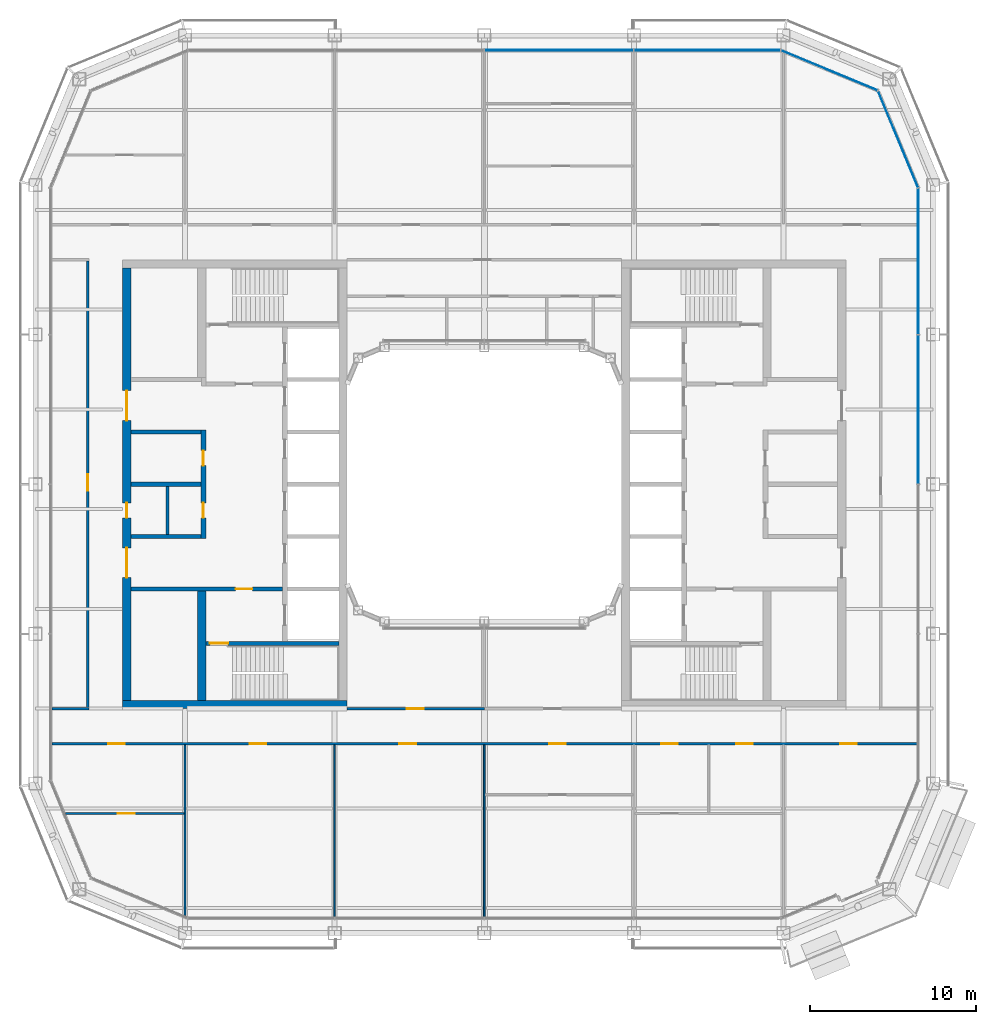
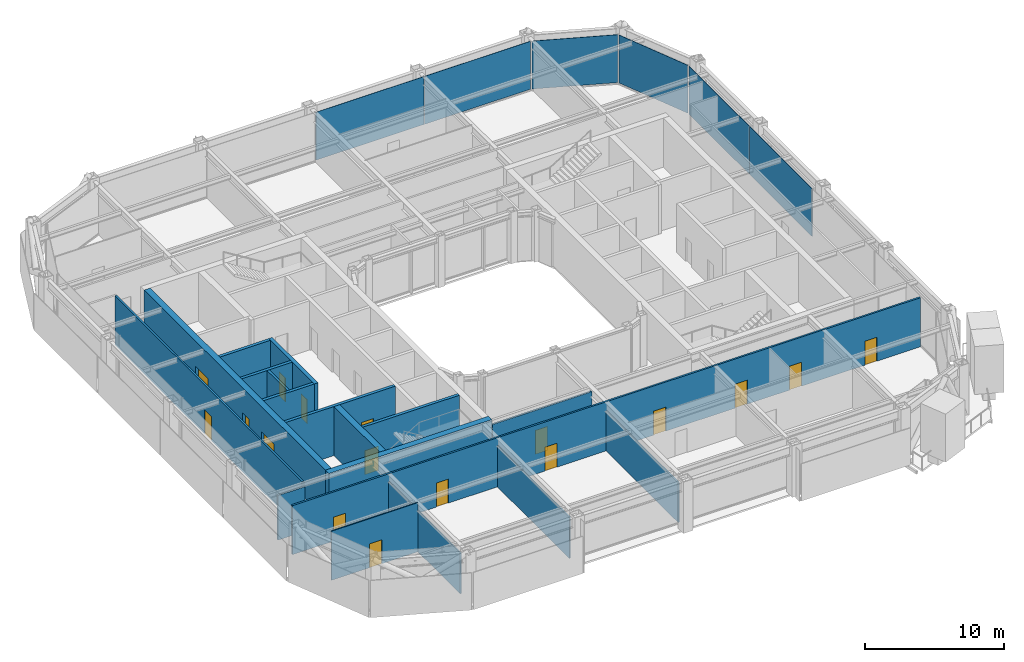
# One storey, part 12 of 23: 18 walls, 17 doors, 6 plates, 17 openings, 4 elements without a shape of their own.
"""IFC4 building model written with IfcOpenShell, lengths in metres."""

from ifc_helpers import new_model, si_unit, direction, frame, frame_2d, origin, origin_2d, place, context, subcontext, project, spatial, rectangle, extrude, material, layer, layer_set, type_object, element, fill, aggregate, save


model = new_model("IFC4")

# Units and contexts
model_context = context("Model", 3, precision=1e-05, world=origin(), true_north=direction((0.0, 1.0)))
body_context = subcontext(model_context, "Body", "Model", "MODEL_VIEW")
ifc_project = project(units=[si_unit("LENGTHUNIT", "METRE"), si_unit("AREAUNIT", "SQUARE_METRE"), si_unit("VOLUMEUNIT", "CUBIC_METRE"), si_unit("PLANEANGLEUNIT", "RADIAN"), si_unit("MASSUNIT", "GRAM", prefix="KILO")], contexts=[model_context])

# Site, building, storey
site_placement = place(None, origin())
site = spatial("IfcSite", under=ifc_project, at=site_placement, CompositionType="ELEMENT")
building_placement = place(site_placement, origin())
building = spatial("IfcBuilding", under=site, at=building_placement, Name="Siwar Civic Tower", CompositionType="ELEMENT")
storey_placement = place(building_placement, frame((0.0, 0.0, 273.699951171875)))
storey = spatial("IfcBuildingStorey", under=building, at=storey_placement, Name="L59", CompositionType="ELEMENT", Elevation=273.699951171875)

# Curtain wall, plates
ifc_material_1 = material(Name="Aluminium and glass", Category="aluminium")
ifc_layer_1 = layer(ifc_material_1, 0.179931640625)
ifc_layer_set_1 = layer_set([ifc_layer_1], Name="Aluminium and glass")
curtain_wall_type_1 = type_object("IfcCurtainWallType", Name="ENV-CW-C", PredefinedType="NOTDEFINED", material=ifc_layer_set_1)
curtain_wall_1_placement = place(storey_placement, origin())
curtain_wall_1 = element("IfcCurtainWall", 1, at=curtain_wall_1_placement, inside=storey, type_object=curtain_wall_type_1, Name="Curtain wall C E", PredefinedType="NOTDEFINED")
ifc_material_2 = material(Name="Glass clear laminated", Category="glass")
ifc_layer_2 = layer(ifc_material_2, 0.031982421875)
ifc_layer_set_2 = layer_set([ifc_layer_2], Name="Glass clear laminated")
plate_type_1 = type_object("IfcPlateType", Name="ENV-PANEL-C", PredefinedType="CURTAIN_PANEL", material=ifc_layer_set_2)
plate_1_placement = place(storey_placement, frame((26.10009765625, 4.5, 0.10009765625), z_axis=(0.0, 0.0, 1.0), x_axis=(0.0, 1.0, 0.0)))
plate_1 = element("IfcPlate", 2, at=plate_1_placement, type_object=plate_type_1, Name="Curtain panel C E 3", PredefinedType="CURTAIN_PANEL", context=body_context, shape_type="SweptSolid", body=[
    extrude(rectangle(XDim=8.93994140625, YDim=0.031982421875, at=origin_2d()), origin(), (0.0, 0.0, 1.0), 4.199951171875),
])
plate_2_placement = place(storey_placement, frame((26.10009765625, 13.373046875, 0.10009765625), z_axis=(0.0, 0.0, 1.0), x_axis=(0.0, 1.0, 0.0)))
plate_2 = element("IfcPlate", 3, at=plate_2_placement, type_object=plate_type_1, Name="Curtain panel C E 4", PredefinedType="CURTAIN_PANEL", context=body_context, shape_type="SweptSolid", body=[
    extrude(rectangle(XDim=8.68603515625, YDim=0.031982421875, at=origin_2d()), origin(), (0.0, 0.0, 1.0), 4.199951171875),
])
aggregate(curtain_wall_1, [plate_1, plate_2])

curtain_wall_2_placement = place(storey_placement, origin())
curtain_wall_2 = element("IfcCurtainWall", 4, at=curtain_wall_2_placement, inside=storey, type_object=curtain_wall_type_1, Name="Curtain wall C N", PredefinedType="NOTDEFINED")
plate_3_placement = place(storey_placement, frame((13.410400390625, 26.10009765625, 0.10009765625), z_axis=(0.0, 0.0, 1.0), x_axis=(-1.0, 0.0, 0.0)))
plate_3 = element("IfcPlate", 5, at=plate_3_placement, type_object=plate_type_1, Name="Curtain panel C N 1", PredefinedType="CURTAIN_PANEL", context=body_context, shape_type="SweptSolid", body=[
    extrude(rectangle(XDim=8.760986328125, YDim=0.031982421875, at=origin_2d()), origin(), (0.0, 0.0, 1.0), 4.199951171875),
])
plate_4_placement = place(storey_placement, frame((4.5, 26.10009765625, 0.10009765625), z_axis=(0.0, 0.0, 1.0), x_axis=(-1.0, 0.0, 0.0)))
plate_4 = element("IfcPlate", 6, at=plate_4_placement, type_object=plate_type_1, Name="Curtain panel C N 2", PredefinedType="CURTAIN_PANEL", context=body_context, shape_type="SweptSolid", body=[
    extrude(rectangle(XDim=8.93994140625, YDim=0.031982421875, at=origin_2d()), origin(), (0.0, 0.0, 1.0), 4.199951171875),
])
aggregate(curtain_wall_2, [plate_3, plate_4])

# Curtain wall, plate
ifc_material_3 = material(Name="Aluminium clad insulated panel", Category="aluminium")
ifc_layer_3 = layer(ifc_material_3, 0.179931640625)
ifc_layer_set_3 = layer_set([ifc_layer_3], Name="Aluminium clad insulated panel")
curtain_wall_type_2 = type_object("IfcCurtainWallType", Name="ENV-CW-CX", PredefinedType="NOTDEFINED", material=ifc_layer_set_3)
curtain_wall_3_placement = place(storey_placement, origin())
curtain_wall_3 = element("IfcCurtainWall", 7, at=curtain_wall_3_placement, inside=storey, type_object=curtain_wall_type_2, Name="Curtain wall C NE1", PredefinedType="NOTDEFINED")
ifc_material_4 = material(Name="Aluminium clad insulated panel", Category="aluminium")
ifc_layer_4 = layer(ifc_material_4, 0.031982421875)
ifc_layer_set_4 = layer_set([ifc_layer_4], Name="Aluminium clad insulated panel")
plate_type_2 = type_object("IfcPlateType", Name="ENV-PANEL-CX", PredefinedType="CURTAIN_PANEL", material=ifc_layer_set_4)
plate_5_placement = place(storey_placement, frame((24.90185546875, 20.71337890625, 0.10009765625), z_axis=(0.0, 0.0, 1.0), x_axis=(-0.382683432365, 0.923879532511, 0.0)))
plate_5 = element("IfcPlate", 8, at=plate_5_placement, type_object=plate_type_2, Name="Curtain panel C NE1 1", PredefinedType="CURTAIN_PANEL", context=body_context, shape_type="SweptSolid", body=[
    extrude(rectangle(XDim=6.20166015625, YDim=0.031982421875, at=origin_2d()), origin(), (0.0, 0.0, 1.0), 4.199951171875),
])
aggregate(curtain_wall_3, [plate_5])

curtain_wall_4_placement = place(storey_placement, origin())
curtain_wall_4 = element("IfcCurtainWall", 9, at=curtain_wall_4_placement, inside=storey, type_object=curtain_wall_type_2, Name="Curtain wall C NE2", PredefinedType="NOTDEFINED")
plate_6_placement = place(storey_placement, frame((20.78271484375, 24.873291015625, 0.10009765625), z_axis=(0.0, 0.0, 1.0), x_axis=(-0.923879532511, 0.382683432365, 0.0)))
plate_6 = element("IfcPlate", 10, at=plate_6_placement, type_object=plate_type_2, Name="Curtain panel C NE2 1", PredefinedType="CURTAIN_PANEL", context=body_context, shape_type="SweptSolid", body=[
    extrude(rectangle(XDim=6.20166015625, YDim=0.031982421875, at=origin_2d()), origin(), (0.0, 0.0, 1.0), 4.199951171875),
])
aggregate(curtain_wall_4, [plate_6])

# Wall, opening, door
ifc_material_5 = material(Name="Gypsum board on steel studs", Category="steel")
ifc_layer_5 = layer(ifc_material_5, 0.14990234375)
ifc_layer_set_5 = layer_set([ifc_layer_5], Name="Gypsum board on steel studs")
wall_type_1 = type_object("IfcWallType", Name="COMPARTMENT PARTITION 150 EI 60", PredefinedType="PARTITIONING", material=ifc_layer_set_5)
wall_1_placement = place(storey_placement, frame((-8.25, -13.5, 0.0), z_axis=(0.0, 0.0, 1.0), x_axis=(1.0, 0.0, 0.0)))
wall_1 = element("IfcWall", 11, at=wall_1_placement, inside=storey, type_object=wall_type_1, Name="L59/wall/P08", PredefinedType="PARTITIONING", context=body_context, shape_type="SweptSolid", body=[
    extrude(rectangle(XDim=8.25, YDim=0.14990234375, at=frame_2d((4.125, 0.0))), origin(), (0.0, 0.0, 1.0), 3.900146484375),
])
opening_1_placement = place(wall_1_placement, frame((3.60009765625, 0.0, 0.0)))
opening_1 = element("IfcOpeningElement", 12, at=opening_1_placement, cuts=wall_1, Name="Opening D1", PredefinedType="OPENING", context=body_context, shape_type="SweptSolid", body=[
    extrude(rectangle(XDim=1.0, YDim=2.10009765625, at=frame_2d((0.5, 1.050048828125))), frame((0.0, 0.0849609375, 0.0), z_axis=(0.0, -1.0, 0.0), x_axis=(1.0, 0.0, 0.0)), (0.0, 0.0, 1.0), 0.169921875),
])
ifc_material_6 = material(Name="Timber, painted", Category="wood")
door_type_1 = type_object("IfcDoorType", Name="DOOR 1000 X 2100 FD30", OperationType="SINGLE_SWING_LEFT", PredefinedType="DOOR", material=ifc_material_6)
door_1_placement = place(opening_1_placement, origin())
door_1 = element("IfcDoor", 13, at=door_1_placement, inside=storey, type_object=door_type_1, Name="L59-D27", OperationType="SINGLE_SWING_LEFT", OverallHeight=2.10009765625, OverallWidth=1.0, PredefinedType="DOOR", context=body_context, shape_type="SweptSolid", body=[
    extrude(rectangle(XDim=1.0, YDim=2.10009765625, at=frame_2d((0.5, 1.050048828125))), frame((0.0, 0.02490234375, 0.0), z_axis=(0.0, -1.0, 0.0), x_axis=(1.0, 0.0, 0.0)), (0.0, 0.0, 1.0), 0.050048828125),
])
fill(opening_1, door_1)

# Wall
ifc_material_7 = material(Name="Gypsum board on steel studs", Category="steel")
ifc_layer_6 = layer(ifc_material_7, 0.199951171875)
ifc_layer_set_6 = layer_set([ifc_layer_6], Name="Gypsum board on steel studs")
wall_type_2 = type_object("IfcWallType", Name="CORE-PARTITION-200", PredefinedType="PARTITIONING", material=ifc_layer_set_6)
wall_2_placement = place(storey_placement, frame((-19.050048828125, -3.02490234375, 0.0), z_axis=(0.0, 0.0, 1.0), x_axis=(0.0, 1.0, 0.0)))
element("IfcWall", 14, at=wall_2_placement, inside=storey, type_object=wall_type_2, Name="Core partition W", PredefinedType="PARTITIONING", context=body_context, shape_type="SweptSolid", body=[
    extrude(rectangle(XDim=2.89990234375, YDim=0.199951171875, at=frame_2d((1.449951171875, 0.0))), origin(), (0.0, 0.0, 1.0), 4.300048828125),
])

# Wall, opening, door
ifc_material_8 = material(Name="Concrete C60/75", Category="concrete")
ifc_layer_7 = layer(ifc_material_8, 0.25)
ifc_layer_set_7 = layer_set([ifc_layer_7], Name="Concrete C60/75")
wall_type_3 = type_object("IfcWallType", Name="CORE-WALL-RC250", PredefinedType="SHEAR", material=ifc_layer_set_7)
wall_3_placement = place(storey_placement, frame((-12.14990234375, -6.300048828125, 0.0), z_axis=(0.0, 0.0, 1.0), x_axis=(-1.0, 0.0, 0.0)))
wall_3 = element("IfcWall", 15, at=wall_3_placement, inside=storey, type_object=wall_type_3, Name="Core wall W", PredefinedType="SHEAR", context=body_context, shape_type="SweptSolid", body=[
    extrude(rectangle(XDim=9.10009765625, YDim=0.25, at=frame_2d((4.550048828125, 0.0))), origin(), (0.0, 0.0, 1.0), 4.300048828125),
])
opening_2_placement = place(wall_3_placement, frame((1.800048828125, 0.0, 0.0)))
opening_2 = element("IfcOpeningElement", 16, at=opening_2_placement, cuts=wall_3, Name="Opening L59-CW02", PredefinedType="OPENING", context=body_context, shape_type="SweptSolid", body=[
    extrude(rectangle(XDim=1.0, YDim=2.10009765625, at=frame_2d((0.5, 1.050048828125))), frame((0.0, 0.135009765625, 0.0), z_axis=(0.0, -1.0, 0.0), x_axis=(1.0, 0.0, 0.0)), (0.0, 0.0, 1.0), 0.27001953125),
])
ifc_material_9 = material(Name="Steel door leaf", Category="steel")
door_type_2 = type_object("IfcDoorType", Name="CORE-DOOR-FD30S", OperationType="SINGLE_SWING_LEFT", PredefinedType="DOOR", material=ifc_material_9)
door_2_placement = place(opening_2_placement, origin())
door_2 = element("IfcDoor", 17, at=door_2_placement, inside=storey, type_object=door_type_2, Name="Service lobby door L59-CW02", OperationType="SINGLE_SWING_RIGHT", OverallHeight=2.10009765625, OverallWidth=1.0, PredefinedType="DOOR", context=body_context, shape_type="SweptSolid", body=[
    extrude(rectangle(XDim=1.0, YDim=2.10009765625, at=frame_2d((0.5, 1.050048828125))), frame((0.0, 0.02490234375, 0.0), z_axis=(0.0, -1.0, 0.0), x_axis=(1.0, 0.0, 0.0)), (0.0, 0.0, 1.0), 0.050048828125),
])
fill(opening_2, door_2)

# Walls
for number, where, z_axis, x_axis, name in (
    (18, (-17.050048828125, 0.0, 0.0), (0.0, 0.0, 1.0), (-1.0, 0.0, 0.0), "Core wall W"),
    (19, (-17.050048828125, 3.14990234375, 0.0), (0.0, 0.0, 1.0), (-1.0, 0.0, 0.0), "Core wall W"),
    (20, (-17.050048828125, -3.14990234375, 0.0), (0.0, 0.0, 1.0), (-1.0, 0.0, 0.0), "Core wall W"),
):
    element("IfcWall", number, at=place(storey_placement, frame(where, z_axis=z_axis, x_axis=x_axis)), inside=storey, type_object=wall_type_3, Name=name, PredefinedType="SHEAR", context=body_context, shape_type="SweptSolid", body=[
        extrude(rectangle(XDim=4.199951171875, YDim=0.25, at=frame_2d((2.10009765625, 0.0))), origin(), (0.0, 0.0, 1.0), 4.300048828125),
    ])

# Wall, opening, door
wall_4_placement = place(storey_placement, frame((-8.75, -9.574951171875, 0.0), z_axis=(0.0, 0.0, 1.0), x_axis=(-1.0, 0.0, 0.0)))
wall_4 = element("IfcWall", 21, at=wall_4_placement, inside=storey, type_object=wall_type_3, Name="Core wall W", PredefinedType="SHEAR", context=body_context, shape_type="SweptSolid", body=[
    extrude(rectangle(XDim=8.0, YDim=0.25, at=frame_2d((4.0, 0.0))), origin(), (0.0, 0.0, 1.0), 4.300048828125),
])
opening_3_placement = place(wall_4_placement, frame((6.64990234375, 0.0, 0.0)))
opening_3 = element("IfcOpeningElement", 22, at=opening_3_placement, cuts=wall_4, Name="Opening L59-CW04", PredefinedType="OPENING", context=body_context, shape_type="SweptSolid", body=[
    extrude(rectangle(XDim=1.10009765625, YDim=2.10009765625, at=frame_2d((0.550048828125, 1.050048828125))), frame((0.0, 0.135009765625, 0.0), z_axis=(0.0, -1.0, 0.0), x_axis=(1.0, 0.0, 0.0)), (0.0, 0.0, 1.0), 0.27001953125),
])
ifc_material_10 = material(Name="Steel door leaf", Category="steel")
door_type_3 = type_object("IfcDoorType", Name="CORE-DOOR-FD60S", OperationType="SINGLE_SWING_LEFT", PredefinedType="DOOR", material=ifc_material_10)
door_3_placement = place(opening_3_placement, origin())
door_3 = element("IfcDoor", 23, at=door_3_placement, inside=storey, type_object=door_type_3, Name="Stair door L59-CW04", OperationType="SINGLE_SWING_LEFT", OverallHeight=2.10009765625, OverallWidth=1.10009765625, PredefinedType="DOOR", context=body_context, shape_type="SweptSolid", body=[
    extrude(rectangle(XDim=1.10009765625, YDim=2.10009765625, at=frame_2d((0.550048828125, 1.050048828125))), frame((0.0, 0.02490234375, 0.0), z_axis=(0.0, -1.0, 0.0), x_axis=(1.0, 0.0, 0.0)), (0.0, 0.0, 1.0), 0.050048828125),
])
fill(opening_3, door_3)

# Wall, openings, doors
ifc_material_11 = material(Name="Concrete C60/75", Category="concrete")
ifc_layer_8 = layer(ifc_material_11, 0.300048828125)
ifc_layer_set_8 = layer_set([ifc_layer_8], Name="Concrete C60/75")
wall_type_4 = type_object("IfcWallType", Name="CORE-WALL-RC300", PredefinedType="SHEAR", material=ifc_layer_set_8)
wall_5_placement = place(storey_placement, frame((-16.89990234375, -3.27490234375, 0.0), z_axis=(0.0, 0.0, 1.0), x_axis=(0.0, 1.0, 0.0)))
wall_5 = element("IfcWall", 24, at=wall_5_placement, inside=storey, type_object=wall_type_4, Name="Core wall W", PredefinedType="SHEAR", context=body_context, shape_type="SweptSolid", body=[
    extrude(rectangle(XDim=6.5498046875, YDim=0.300048828125, at=frame_2d((3.27490234375, 0.0))), origin(), (0.0, 0.0, 1.0), 4.300048828125),
])
opening_4_placement = place(wall_5_placement, frame((1.25, 0.0, 0.0)))
opening_4 = element("IfcOpeningElement", 25, at=opening_4_placement, cuts=wall_5, Name="Opening L59-CW13", PredefinedType="OPENING", context=body_context, shape_type="SweptSolid", body=[
    extrude(rectangle(XDim=0.89990234375, YDim=2.10009765625, at=frame_2d((0.449951171875, 1.050048828125))), frame((0.0, 0.16015625, 0.0), z_axis=(0.0, -1.0, 0.0), x_axis=(1.0, 0.0, 0.0)), (0.0, 0.0, 1.0), 0.320068359375),
])
opening_5_placement = place(wall_5_placement, frame((4.39990234375, 0.0, 0.0)))
opening_5 = element("IfcOpeningElement", 26, at=opening_5_placement, cuts=wall_5, Name="Opening L59-CW15", PredefinedType="OPENING", context=body_context, shape_type="SweptSolid", body=[
    extrude(rectangle(XDim=0.89990234375, YDim=2.10009765625, at=frame_2d((0.449951171875, 1.050048828125))), frame((0.0, 0.16015625, 0.0), z_axis=(0.0, -1.0, 0.0), x_axis=(1.0, 0.0, 0.0)), (0.0, 0.0, 1.0), 0.320068359375),
])
ifc_material_12 = material(Name="Steel door leaf", Category="steel")
door_type_4 = type_object("IfcDoorType", Name="CORE-DOOR-ROOM", OperationType="SINGLE_SWING_LEFT", PredefinedType="DOOR", material=ifc_material_12)
door_4_placement = place(opening_4_placement, origin())
door_4 = element("IfcDoor", 27, at=door_4_placement, inside=storey, type_object=door_type_4, Name="Core room door L59-CW13", OperationType="SINGLE_SWING_LEFT", OverallHeight=2.10009765625, OverallWidth=0.89990234375, PredefinedType="DOOR", context=body_context, shape_type="SweptSolid", body=[
    extrude(rectangle(XDim=0.89990234375, YDim=2.10009765625, at=frame_2d((0.449951171875, 1.050048828125))), frame((0.0, 0.02490234375, 0.0), z_axis=(0.0, -1.0, 0.0), x_axis=(1.0, 0.0, 0.0)), (0.0, 0.0, 1.0), 0.050048828125),
])
fill(opening_4, door_4)
door_5_placement = place(opening_5_placement, origin())
door_5 = element("IfcDoor", 28, at=door_5_placement, inside=storey, type_object=door_type_4, Name="Core room door L59-CW15", OperationType="SINGLE_SWING_RIGHT", OverallHeight=2.10009765625, OverallWidth=0.89990234375, PredefinedType="DOOR", context=body_context, shape_type="SweptSolid", body=[
    extrude(rectangle(XDim=0.89990234375, YDim=2.10009765625, at=frame_2d((0.449951171875, 1.050048828125))), frame((0.0, 0.02490234375, 0.0), z_axis=(0.0, -1.0, 0.0), x_axis=(1.0, 0.0, 0.0)), (0.0, 0.0, 1.0), 0.050048828125),
])
fill(opening_5, door_5)

ifc_material_13 = material(Name="Concrete C60/75", Category="concrete")
ifc_layer_9 = layer(ifc_material_13, 0.5)
ifc_layer_set_9 = layer_set([ifc_layer_9], Name="Concrete C60/75")
wall_type_5 = type_object("IfcWallType", Name="CORE-WALL-RC500", PredefinedType="SHEAR", material=ifc_layer_set_9)
wall_6_placement = place(storey_placement, frame((-21.5, -13.0, 0.0), z_axis=(0.0, 0.0, 1.0), x_axis=(0.0, 1.0, 0.0)))
wall_6 = element("IfcWall", 29, at=wall_6_placement, inside=storey, type_object=wall_type_5, Name="Core wall W", PredefinedType="SHEAR", context=body_context, shape_type="SweptSolid", body=[
    extrude(rectangle(XDim=26.0, YDim=0.5, at=frame_2d((13.0, 0.0))), origin(), (0.0, 0.0, 1.0), 4.300048828125),
])
opening_6_placement = place(wall_6_placement, frame((16.824951171875, 0.0, 0.0)))
opening_6 = element("IfcOpeningElement", 30, at=opening_6_placement, cuts=wall_6, Name="Opening L59-CW05", PredefinedType="OPENING", context=body_context, shape_type="SweptSolid", body=[
    extrude(rectangle(XDim=1.800048828125, YDim=2.10009765625, at=frame_2d((0.89990234375, 1.050048828125))), frame((0.0, 0.260009765625, 0.0), z_axis=(0.0, -1.0, 0.0), x_axis=(1.0, 0.0, 0.0)), (0.0, 0.0, 1.0), 0.52001953125),
])
opening_7_placement = place(wall_6_placement, frame((7.375, 0.0, 0.0)))
opening_7 = element("IfcOpeningElement", 31, at=opening_7_placement, cuts=wall_6, Name="Opening L59-CW06", PredefinedType="OPENING", context=body_context, shape_type="SweptSolid", body=[
    extrude(rectangle(XDim=1.800048828125, YDim=2.10009765625, at=frame_2d((0.89990234375, 1.050048828125))), frame((0.0, 0.260009765625, 0.0), z_axis=(0.0, -1.0, 0.0), x_axis=(1.0, 0.0, 0.0)), (0.0, 0.0, 1.0), 0.52001953125),
])
opening_8_placement = place(wall_6_placement, frame((10.97509765625, 0.0, 0.0)))
opening_8 = element("IfcOpeningElement", 32, at=opening_8_placement, cuts=wall_6, Name="Opening L59-CW14", PredefinedType="OPENING", context=body_context, shape_type="SweptSolid", body=[
    extrude(rectangle(XDim=0.89990234375, YDim=2.10009765625, at=frame_2d((0.449951171875, 1.050048828125))), frame((0.0, 0.260009765625, 0.0), z_axis=(0.0, -1.0, 0.0), x_axis=(1.0, 0.0, 0.0)), (0.0, 0.0, 1.0), 0.52001953125),
])
ifc_material_14 = material(Name="Steel door leaf", Category="steel")
door_type_5 = type_object("IfcDoorType", Name="CORE-DOOR-PORT", OperationType="DOUBLE_DOOR_DOUBLE_SWING", PredefinedType="DOOR", material=ifc_material_14)
door_6_placement = place(opening_6_placement, origin())
door_6 = element("IfcDoor", 33, at=door_6_placement, inside=storey, type_object=door_type_5, Name="Core entrance door L59-CW05", OperationType="DOUBLE_DOOR_DOUBLE_SWING", OverallHeight=2.10009765625, OverallWidth=1.800048828125, PredefinedType="DOOR", context=body_context, shape_type="SweptSolid", body=[
    extrude(rectangle(XDim=1.800048828125, YDim=2.10009765625, at=frame_2d((0.89990234375, 1.050048828125))), frame((0.0, 0.02490234375, 0.0), z_axis=(0.0, -1.0, 0.0), x_axis=(1.0, 0.0, 0.0)), (0.0, 0.0, 1.0), 0.050048828125),
])
fill(opening_6, door_6)
door_7_placement = place(opening_7_placement, origin())
door_7 = element("IfcDoor", 34, at=door_7_placement, inside=storey, type_object=door_type_5, Name="Core entrance door L59-CW06", OperationType="DOUBLE_DOOR_DOUBLE_SWING", OverallHeight=2.10009765625, OverallWidth=1.800048828125, PredefinedType="DOOR", context=body_context, shape_type="SweptSolid", body=[
    extrude(rectangle(XDim=1.800048828125, YDim=2.10009765625, at=frame_2d((0.89990234375, 1.050048828125))), frame((0.0, 0.02490234375, 0.0), z_axis=(0.0, -1.0, 0.0), x_axis=(1.0, 0.0, 0.0)), (0.0, 0.0, 1.0), 0.050048828125),
])
fill(opening_7, door_7)
door_8_placement = place(opening_8_placement, origin())
door_8 = element("IfcDoor", 35, at=door_8_placement, inside=storey, type_object=door_type_4, Name="Core room door L59-CW14", OperationType="SINGLE_SWING_RIGHT", OverallHeight=2.10009765625, OverallWidth=0.89990234375, PredefinedType="DOOR", context=body_context, shape_type="SweptSolid", body=[
    extrude(rectangle(XDim=0.89990234375, YDim=2.10009765625, at=frame_2d((0.449951171875, 1.050048828125))), frame((0.0, 0.02490234375, 0.0), z_axis=(0.0, -1.0, 0.0), x_axis=(1.0, 0.0, 0.0)), (0.0, 0.0, 1.0), 0.050048828125),
])
fill(opening_8, door_8)

# Walls
wall_7_placement = place(storey_placement, frame((-17.0, -13.0, 0.0), z_axis=(0.0, 0.0, 1.0), x_axis=(0.0, 1.0, 0.0)))
element("IfcWall", 36, at=wall_7_placement, inside=storey, type_object=wall_type_5, Name="Core wall W", PredefinedType="SHEAR", context=body_context, shape_type="SweptSolid", body=[
    extrude(rectangle(XDim=6.574951171875, YDim=0.5, at=frame_2d((3.28759765625, 0.0))), origin(), (0.0, 0.0, 1.0), 4.300048828125),
])
wall_8_placement = place(storey_placement, frame((-8.25, -13.25, 0.0), z_axis=(0.0, 0.0, 1.0), x_axis=(-1.0, 0.0, 0.0)))
element("IfcWall", 37, at=wall_8_placement, inside=storey, type_object=wall_type_5, Name="Core wall W", PredefinedType="SHEAR", context=body_context, shape_type="SweptSolid", body=[
    extrude(rectangle(XDim=13.5, YDim=0.5, at=frame_2d((6.75, 0.0))), origin(), (0.0, 0.0, 1.0), 4.300048828125),
])

# Wall, openings, doors
ifc_material_15 = material(Name="Gypsum board on steel studs", Category="steel")
ifc_layer_10 = layer(ifc_material_15, 0.14990234375)
ifc_layer_set_10 = layer_set([ifc_layer_10], Name="Gypsum board on steel studs")
wall_type_6 = type_object("IfcWallType", Name="CORRIDOR PARTITION 150 EI 30", PredefinedType="PARTITIONING", material=ifc_layer_set_10)
wall_9_placement = place(storey_placement, frame((-26.010009765625, -15.60009765625, 0.0), z_axis=(0.0, 0.0, 1.0), x_axis=(1.0, 0.0, 0.0)))
wall_9 = element("IfcWall", 38, at=wall_9_placement, inside=storey, type_object=wall_type_6, Name="L59/wall/P04", PredefinedType="PARTITIONING", context=body_context, shape_type="SweptSolid", body=[
    extrude(rectangle(XDim=52.02001953125, YDim=0.14990234375, at=frame_2d((26.010009765625, 0.0))), origin(), (0.0, 0.0, 1.0), 4.300048828125),
])
opening_9_placement = place(wall_9_placement, frame((11.909912109375, 0.0, 0.0)))
opening_9 = element("IfcOpeningElement", 39, at=opening_9_placement, cuts=wall_9, Name="Opening D1", PredefinedType="OPENING", context=body_context, shape_type="SweptSolid", body=[
    extrude(rectangle(XDim=1.0, YDim=2.10009765625, at=frame_2d((0.5, 1.050048828125))), frame((0.0, 0.0849609375, 0.0), z_axis=(0.0, -1.0, 0.0), x_axis=(1.0, 0.0, 0.0)), (0.0, 0.0, 1.0), 0.169921875),
])
opening_10_placement = place(wall_9_placement, frame((20.909912109375, 0.0, 0.0)))
opening_10 = element("IfcOpeningElement", 40, at=opening_10_placement, cuts=wall_9, Name="Opening D1", PredefinedType="OPENING", context=body_context, shape_type="SweptSolid", body=[
    extrude(rectangle(XDim=1.0, YDim=2.10009765625, at=frame_2d((0.5, 1.050048828125))), frame((0.0, 0.0849609375, 0.0), z_axis=(0.0, -1.0, 0.0), x_axis=(1.0, 0.0, 0.0)), (0.0, 0.0, 1.0), 0.169921875),
])
opening_11_placement = place(wall_9_placement, frame((29.909912109375, 0.0, 0.0)))
opening_11 = element("IfcOpeningElement", 41, at=opening_11_placement, cuts=wall_9, Name="Opening D1", PredefinedType="OPENING", context=body_context, shape_type="SweptSolid", body=[
    extrude(rectangle(XDim=1.0, YDim=2.10009765625, at=frame_2d((0.5, 1.050048828125))), frame((0.0, 0.0849609375, 0.0), z_axis=(0.0, -1.0, 0.0), x_axis=(1.0, 0.0, 0.0)), (0.0, 0.0, 1.0), 0.169921875),
])
opening_12_placement = place(wall_9_placement, frame((36.659912109375, 0.0, 0.0)))
opening_12 = element("IfcOpeningElement", 42, at=opening_12_placement, cuts=wall_9, Name="Opening D1", PredefinedType="OPENING", context=body_context, shape_type="SweptSolid", body=[
    extrude(rectangle(XDim=1.0, YDim=2.10009765625, at=frame_2d((0.5, 1.050048828125))), frame((0.0, 0.0849609375, 0.0), z_axis=(0.0, -1.0, 0.0), x_axis=(1.0, 0.0, 0.0)), (0.0, 0.0, 1.0), 0.169921875),
])
opening_13_placement = place(wall_9_placement, frame((41.159912109375, 0.0, 0.0)))
opening_13 = element("IfcOpeningElement", 43, at=opening_13_placement, cuts=wall_9, Name="Opening D1", PredefinedType="OPENING", context=body_context, shape_type="SweptSolid", body=[
    extrude(rectangle(XDim=1.0, YDim=2.10009765625, at=frame_2d((0.5, 1.050048828125))), frame((0.0, 0.0849609375, 0.0), z_axis=(0.0, -1.0, 0.0), x_axis=(1.0, 0.0, 0.0)), (0.0, 0.0, 1.0), 0.169921875),
])
opening_14_placement = place(wall_9_placement, frame((3.39990234375, 0.0, 0.0)))
opening_14 = element("IfcOpeningElement", 44, at=opening_14_placement, cuts=wall_9, Name="Opening D1", PredefinedType="OPENING", context=body_context, shape_type="SweptSolid", body=[
    extrude(rectangle(XDim=1.0, YDim=2.10009765625, at=frame_2d((0.5, 1.050048828125))), frame((0.0, 0.0849609375, 0.0), z_axis=(0.0, -1.0, 0.0), x_axis=(1.0, 0.0, 0.0)), (0.0, 0.0, 1.0), 0.169921875),
])
opening_15_placement = place(wall_9_placement, frame((47.409912109375, 0.0, 0.0)))
opening_15 = element("IfcOpeningElement", 45, at=opening_15_placement, cuts=wall_9, Name="Opening D1", PredefinedType="OPENING", context=body_context, shape_type="SweptSolid", body=[
    extrude(rectangle(XDim=1.0, YDim=2.10009765625, at=frame_2d((0.5, 1.050048828125))), frame((0.0, 0.0849609375, 0.0), z_axis=(0.0, -1.0, 0.0), x_axis=(1.0, 0.0, 0.0)), (0.0, 0.0, 1.0), 0.169921875),
])
door_9_placement = place(opening_9_placement, origin())
door_9 = element("IfcDoor", 46, at=door_9_placement, inside=storey, type_object=door_type_1, Name="L59-D07", OperationType="SINGLE_SWING_LEFT", OverallHeight=2.10009765625, OverallWidth=1.0, PredefinedType="DOOR", context=body_context, shape_type="SweptSolid", body=[
    extrude(rectangle(XDim=1.0, YDim=2.10009765625, at=frame_2d((0.5, 1.050048828125))), frame((0.0, 0.02490234375, 0.0), z_axis=(0.0, -1.0, 0.0), x_axis=(1.0, 0.0, 0.0)), (0.0, 0.0, 1.0), 0.050048828125),
])
fill(opening_9, door_9)
door_10_placement = place(opening_10_placement, origin())
door_10 = element("IfcDoor", 47, at=door_10_placement, inside=storey, type_object=door_type_1, Name="L59-D08", OperationType="SINGLE_SWING_RIGHT", OverallHeight=2.10009765625, OverallWidth=1.0, PredefinedType="DOOR", context=body_context, shape_type="SweptSolid", body=[
    extrude(rectangle(XDim=1.0, YDim=2.10009765625, at=frame_2d((0.5, 1.050048828125))), frame((0.0, 0.02490234375, 0.0), z_axis=(0.0, -1.0, 0.0), x_axis=(1.0, 0.0, 0.0)), (0.0, 0.0, 1.0), 0.050048828125),
])
fill(opening_10, door_10)
door_11_placement = place(opening_11_placement, origin())
door_11 = element("IfcDoor", 48, at=door_11_placement, inside=storey, type_object=door_type_1, Name="L59-D09", OperationType="SINGLE_SWING_LEFT", OverallHeight=2.10009765625, OverallWidth=1.0, PredefinedType="DOOR", context=body_context, shape_type="SweptSolid", body=[
    extrude(rectangle(XDim=1.0, YDim=2.10009765625, at=frame_2d((0.5, 1.050048828125))), frame((0.0, 0.02490234375, 0.0), z_axis=(0.0, -1.0, 0.0), x_axis=(1.0, 0.0, 0.0)), (0.0, 0.0, 1.0), 0.050048828125),
])
fill(opening_11, door_11)
door_12_placement = place(opening_12_placement, origin())
door_12 = element("IfcDoor", 49, at=door_12_placement, inside=storey, type_object=door_type_1, Name="L59-D11", OperationType="SINGLE_SWING_LEFT", OverallHeight=2.10009765625, OverallWidth=1.0, PredefinedType="DOOR", context=body_context, shape_type="SweptSolid", body=[
    extrude(rectangle(XDim=1.0, YDim=2.10009765625, at=frame_2d((0.5, 1.050048828125))), frame((0.0, 0.02490234375, 0.0), z_axis=(0.0, -1.0, 0.0), x_axis=(1.0, 0.0, 0.0)), (0.0, 0.0, 1.0), 0.050048828125),
])
fill(opening_12, door_12)
door_13_placement = place(opening_13_placement, origin())
door_13 = element("IfcDoor", 50, at=door_13_placement, inside=storey, type_object=door_type_1, Name="L59-D12", OperationType="SINGLE_SWING_RIGHT", OverallHeight=2.10009765625, OverallWidth=1.0, PredefinedType="DOOR", context=body_context, shape_type="SweptSolid", body=[
    extrude(rectangle(XDim=1.0, YDim=2.10009765625, at=frame_2d((0.5, 1.050048828125))), frame((0.0, 0.02490234375, 0.0), z_axis=(0.0, -1.0, 0.0), x_axis=(1.0, 0.0, 0.0)), (0.0, 0.0, 1.0), 0.050048828125),
])
fill(opening_13, door_13)
door_14_placement = place(opening_14_placement, origin())
door_14 = element("IfcDoor", 51, at=door_14_placement, inside=storey, type_object=door_type_1, Name="L59-D17", OperationType="SINGLE_SWING_LEFT", OverallHeight=2.10009765625, OverallWidth=1.0, PredefinedType="DOOR", context=body_context, shape_type="SweptSolid", body=[
    extrude(rectangle(XDim=1.0, YDim=2.10009765625, at=frame_2d((0.5, 1.050048828125))), frame((0.0, 0.02490234375, 0.0), z_axis=(0.0, -1.0, 0.0), x_axis=(1.0, 0.0, 0.0)), (0.0, 0.0, 1.0), 0.050048828125),
])
fill(opening_14, door_14)
door_15_placement = place(opening_15_placement, origin())
door_15 = element("IfcDoor", 52, at=door_15_placement, inside=storey, type_object=door_type_1, Name="L59-D19", OperationType="SINGLE_SWING_LEFT", OverallHeight=2.10009765625, OverallWidth=1.0, PredefinedType="DOOR", context=body_context, shape_type="SweptSolid", body=[
    extrude(rectangle(XDim=1.0, YDim=2.10009765625, at=frame_2d((0.5, 1.050048828125))), frame((0.0, 0.02490234375, 0.0), z_axis=(0.0, -1.0, 0.0), x_axis=(1.0, 0.0, 0.0)), (0.0, 0.0, 1.0), 0.050048828125),
])
fill(opening_15, door_15)

# Wall
wall_10_placement = place(storey_placement, frame((-26.010009765625, -13.5, 0.0), z_axis=(0.0, 0.0, 1.0), x_axis=(1.0, 0.0, 0.0)))
element("IfcWall", 53, at=wall_10_placement, inside=storey, type_object=wall_type_6, Name="L59/wall/P05", PredefinedType="PARTITIONING", context=body_context, shape_type="SweptSolid", body=[
    extrude(rectangle(XDim=2.235107421875, YDim=0.14990234375, at=frame_2d((1.11767578125, 0.0))), origin(), (0.0, 0.0, 1.0), 3.900146484375),
])

# Wall, opening, door
wall_11_placement = place(storey_placement, frame((-23.85009765625, -13.425048828125, 0.0), z_axis=(0.0, 0.0, 1.0), x_axis=(0.0, 1.0, 0.0)))
wall_11 = element("IfcWall", 54, at=wall_11_placement, inside=storey, type_object=wall_type_6, Name="L59/wall/P18", PredefinedType="PARTITIONING", context=body_context, shape_type="SweptSolid", body=[
    extrude(rectangle(XDim=26.85009765625, YDim=0.14990234375, at=frame_2d((13.425048828125, 0.0))), origin(), (0.0, 0.0, 1.0), 4.300048828125),
])
opening_16_placement = place(wall_11_placement, frame((13.02490234375, 0.0, 0.0)))
opening_16 = element("IfcOpeningElement", 55, at=opening_16_placement, cuts=wall_11, Name="Opening D1", PredefinedType="OPENING", context=body_context, shape_type="SweptSolid", body=[
    extrude(rectangle(XDim=1.0, YDim=2.10009765625, at=frame_2d((0.5, 1.050048828125))), frame((0.0, 0.0849609375, 0.0), z_axis=(0.0, -1.0, 0.0), x_axis=(1.0, 0.0, 0.0)), (0.0, 0.0, 1.0), 0.169921875),
])
door_16_placement = place(opening_16_placement, origin())
door_16 = element("IfcDoor", 56, at=door_16_placement, inside=storey, type_object=door_type_1, Name="L59-D20", OperationType="SINGLE_SWING_RIGHT", OverallHeight=2.10009765625, OverallWidth=1.0, PredefinedType="DOOR", context=body_context, shape_type="SweptSolid", body=[
    extrude(rectangle(XDim=1.0, YDim=2.10009765625, at=frame_2d((0.5, 1.050048828125))), frame((0.0, 0.02490234375, 0.0), z_axis=(0.0, -1.0, 0.0), x_axis=(1.0, 0.0, 0.0)), (0.0, 0.0, 1.0), 0.050048828125),
])
fill(opening_16, door_16)

ifc_material_16 = material(Name="Gypsum board on steel studs", Category="steel")
ifc_layer_11 = layer(ifc_material_16, 0.10009765625)
ifc_layer_set_11 = layer_set([ifc_layer_11], Name="Gypsum board on steel studs")
wall_type_7 = type_object("IfcWallType", Name="PARTITION 100 GYPSUM", PredefinedType="PARTITIONING", material=ifc_layer_set_11)
wall_12_placement = place(storey_placement, frame((-25.18310546875, -19.800048828125, 0.0), z_axis=(0.0, 0.0, 1.0), x_axis=(1.0, 0.0, 0.0)))
wall_12 = element("IfcWall", 57, at=wall_12_placement, inside=storey, type_object=wall_type_7, Name="L59/wall/P01", PredefinedType="PARTITIONING", context=body_context, shape_type="SweptSolid", body=[
    extrude(rectangle(XDim=7.133056640625, YDim=0.10009765625, at=frame_2d((3.56640625, 0.0))), origin(), (0.0, 0.0, 1.0), 4.300048828125),
])
opening_17_placement = place(wall_12_placement, frame((3.14990234375, 0.0, 0.0)))
opening_17 = element("IfcOpeningElement", 58, at=opening_17_placement, cuts=wall_12, Name="Opening D2", PredefinedType="OPENING", context=body_context, shape_type="SweptSolid", body=[
    extrude(rectangle(XDim=1.0, YDim=2.10009765625, at=frame_2d((0.5, 1.050048828125))), frame((0.0, 0.06005859375, 0.0), z_axis=(0.0, -1.0, 0.0), x_axis=(1.0, 0.0, 0.0)), (0.0, 0.0, 1.0), 0.1201171875),
])
ifc_material_17 = material(Name="Timber, painted", Category="wood")
door_type_6 = type_object("IfcDoorType", Name="DOOR 1000 X 2100", OperationType="SINGLE_SWING_LEFT", PredefinedType="DOOR", material=ifc_material_17)
door_17_placement = place(opening_17_placement, origin())
door_17 = element("IfcDoor", 59, at=door_17_placement, inside=storey, type_object=door_type_6, Name="L59-D18", OperationType="SINGLE_SWING_RIGHT", OverallHeight=2.10009765625, OverallWidth=1.0, PredefinedType="DOOR", context=body_context, shape_type="SweptSolid", body=[
    extrude(rectangle(XDim=1.0, YDim=2.10009765625, at=frame_2d((0.5, 1.050048828125))), frame((0.0, 0.02490234375, 0.0), z_axis=(0.0, -1.0, 0.0), x_axis=(1.0, 0.0, 0.0)), (0.0, 0.0, 1.0), 0.050048828125),
])
fill(opening_17, door_17)

# Walls
wall_13_placement = place(storey_placement, frame((-18.0, -25.927978515625, 0.0), z_axis=(0.0, 0.0, 1.0), x_axis=(0.0, 1.0, 0.0)))
element("IfcWall", 60, at=wall_13_placement, inside=storey, type_object=wall_type_7, Name="L59/wall/P19", PredefinedType="PARTITIONING", context=body_context, shape_type="SweptSolid", body=[
    extrude(rectangle(XDim=10.2529296875, YDim=0.10009765625, at=frame_2d((5.12646484375, 0.0))), origin(), (0.0, 0.0, 1.0), 3.60009765625),
])
wall_14_placement = place(storey_placement, frame((-9.0, -26.010009765625, 0.0), z_axis=(0.0, 0.0, 1.0), x_axis=(0.0, 1.0, 0.0)))
element("IfcWall", 61, at=wall_14_placement, inside=storey, type_object=wall_type_7, Name="L59/wall/P21", PredefinedType="PARTITIONING", context=body_context, shape_type="SweptSolid", body=[
    extrude(rectangle(XDim=10.3349609375, YDim=0.10009765625, at=frame_2d((5.16748046875, 0.0))), origin(), (0.0, 0.0, 1.0), 3.60009765625),
])
wall_15_placement = place(storey_placement, frame((0.0, -26.010009765625, 0.0), z_axis=(0.0, 0.0, 1.0), x_axis=(0.0, 1.0, 0.0)))
element("IfcWall", 62, at=wall_15_placement, inside=storey, type_object=wall_type_7, Name="L59/wall/P24", PredefinedType="PARTITIONING", context=body_context, shape_type="SweptSolid", body=[
    extrude(rectangle(XDim=10.3349609375, YDim=0.10009765625, at=frame_2d((5.16748046875, 0.0))), origin(), (0.0, 0.0, 1.0), 3.5),
])

save(model, "model.ifc")
